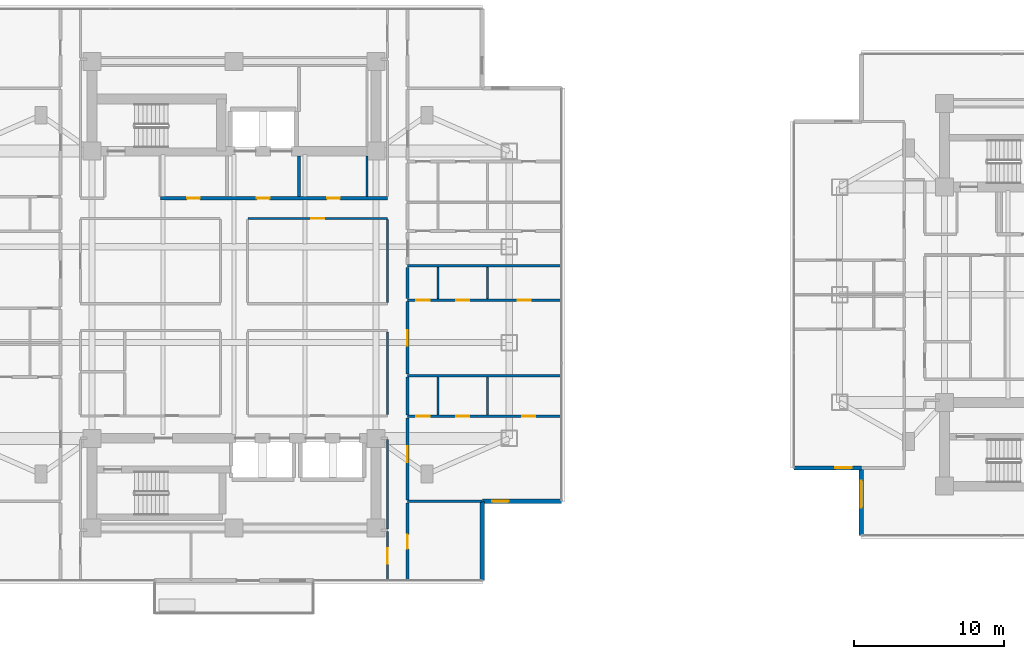
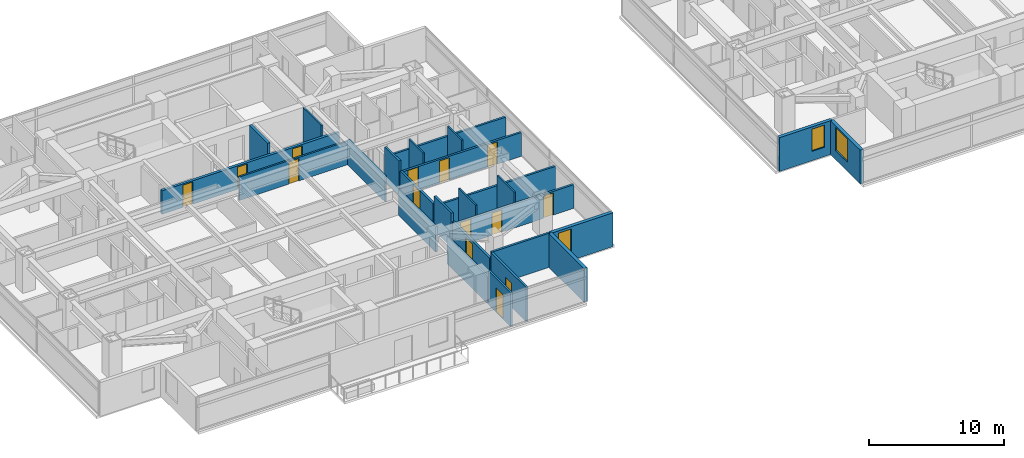
# One storey, part 15 of 26: 26 walls, 14 doors, 3 windows, 17 openings.
"""IFC4 building model written with IfcOpenShell, lengths in metres."""

from ifc_helpers import new_model, si_unit, direction, frame, frame_2d, origin, place, context, subcontext, project, spatial, rectangle, extrude, material, layer, layer_set, type_object, element, fill, save


model = new_model("IFC4")

# Units and contexts
model_context = context("Model", 3, precision=1e-05, world=origin(), true_north=direction((0.0, 1.0)))
body_context = subcontext(model_context, "Body", "Model", "MODEL_VIEW")
ifc_project = project(units=[si_unit("LENGTHUNIT", "METRE"), si_unit("AREAUNIT", "SQUARE_METRE"), si_unit("VOLUMEUNIT", "CUBIC_METRE"), si_unit("PLANEANGLEUNIT", "RADIAN"), si_unit("MASSUNIT", "GRAM", prefix="KILO")], contexts=[model_context])

# Site, building, storey
site_placement = place(None, origin())
site = spatial("IfcSite", under=ifc_project, at=site_placement, CompositionType="ELEMENT")
building_placement = place(site_placement, origin())
building = spatial("IfcBuilding", under=site, at=building_placement, Name="Mirazonda Arch Towers", CompositionType="ELEMENT")
storey_placement = place(building_placement, frame((0.0, 0.0, 108.199951171875)))
storey = spatial("IfcBuildingStorey", under=building, at=storey_placement, Name="L30", CompositionType="ELEMENT", Elevation=108.199951171875)

# Wall, opening, window
ifc_material_1 = material(Name="Precast Concrete C40/50", Category="concrete")
ifc_layer_1 = layer(ifc_material_1, 0.280029296875, Name="WALL-EXT-WALL-280")
ifc_layer_set_1 = layer_set([ifc_layer_1], Name="Precast Concrete C40/50")
wall_type_1 = type_object("IfcWallType", Name="WALL-EXT-WALL-280", PredefinedType="SOLIDWALL", material=ifc_layer_set_1)
wall_1_placement = place(storey_placement, frame((37.10498046875, 14.18701171875, 0.0), z_axis=(0.0, 0.0, 1.0), x_axis=(1.0, 0.0, 0.0)))
wall_1 = element("IfcWall", 1, at=wall_1_placement, inside=storey, type_object=wall_type_1, Name="L30 T1 Corner Notch Return Wall WL-L30-T1-CSE1", PredefinedType="SOLIDWALL", context=body_context, shape_type="SweptSolid", body=[
    extrude(rectangle(XDim=5.304931640625, YDim=0.280029296875, at=frame_2d((2.65234375, 0.0))), origin(), (0.0, 0.0, 1.0), 3.06005859375),
])
opening_1_placement = place(wall_1_placement, frame((0.64990234375, 0.0, 0.85009765625)))
opening_1 = element("IfcOpeningElement", 2, at=opening_1_placement, cuts=wall_1, Name="Opening WN-108", PredefinedType="OPENING", context=body_context, shape_type="SweptSolid", body=[
    extrude(rectangle(XDim=1.10009765625, YDim=2.0, at=frame_2d((0.550048828125, 1.0))), frame((0.0, 0.14990234375, 0.0), z_axis=(0.0, -1.0, 0.0), x_axis=(1.0, 0.0, 0.0)), (0.0, 0.0, 1.0), 0.300048828125),
])
ifc_material_2 = material(Name="Insulated Low-E Solar Glass", Category="glass")
window_type_1 = type_object("IfcWindowType", Name="WIN-NOTCH-1100x2000", PartitioningType="SINGLE_PANEL", PredefinedType="WINDOW", material=ifc_material_2)
window_1_placement = place(opening_1_placement, origin())
window_1 = element("IfcWindow", 3, at=window_1_placement, inside=storey, type_object=window_type_1, Name="L30 Punched Facade Window WN-L30-T1-CSE1", OverallHeight=2.0, OverallWidth=1.10009765625, PartitioningType="SINGLE_PANEL", PredefinedType="WINDOW", context=body_context, shape_type="SweptSolid", body=[
    extrude(rectangle(XDim=1.10009765625, YDim=2.0, at=frame_2d((0.550048828125, 1.0))), frame((0.0, 0.030029296875, 0.0), z_axis=(0.0, -1.0, 0.0), x_axis=(1.0, 0.0, 0.0)), (0.0, 0.0, 1.0), 0.06005859375),
])
fill(opening_1, window_1)

# Wall
wall_2_placement = place(storey_placement, frame((37.10498046875, 8.882080078125, 0.0), z_axis=(0.0, 0.0, 1.0), x_axis=(0.0, 1.0, 0.0)))
element("IfcWall", 4, at=wall_2_placement, inside=storey, type_object=wall_type_1, Name="L30 T1 Corner Notch Return Wall WL-L30-T1-CSE2", PredefinedType="SOLIDWALL", context=body_context, shape_type="SweptSolid", body=[
    extrude(rectangle(XDim=5.304931640625, YDim=0.280029296875, at=frame_2d((2.65234375, 0.0))), origin(), (0.0, 0.0, 1.0), 3.06005859375),
])

# Wall, opening, window
wall_3_placement = place(storey_placement, frame((62.44580078125, 16.4189453125, 0.0), z_axis=(0.0, 0.0, 1.0), x_axis=(0.0, -1.0, 0.0)))
wall_3 = element("IfcWall", 5, at=wall_3_placement, inside=storey, type_object=wall_type_1, Name="L30 T2 Notched SW Corner Wall WL-L30-T2-CSW", PredefinedType="SOLIDWALL", context=body_context, shape_type="SweptSolid", body=[
    extrude(rectangle(XDim=4.516357421875, YDim=0.280029296875, at=frame_2d((2.25830078125, 0.0))), origin(), (0.0, 0.0, 1.0), 3.06005859375),
])
opening_2_placement = place(wall_3_placement, frame((0.85009765625, 0.0, 0.81005859375)))
opening_2 = element("IfcOpeningElement", 6, at=opening_2_placement, cuts=wall_3, Name="Opening WN-116", PredefinedType="OPENING", context=body_context, shape_type="SweptSolid", body=[
    extrude(rectangle(XDim=1.800048828125, YDim=2.10009765625, at=frame_2d((0.89990234375, 1.050048828125))), frame((0.0, 0.14990234375, 0.0), z_axis=(0.0, -1.0, 0.0), x_axis=(1.0, 0.0, 0.0)), (0.0, 0.0, 1.0), 0.300048828125),
])
window_type_2 = type_object("IfcWindowType", Name="WIN-HTL-1800x2100", PartitioningType="SINGLE_PANEL", PredefinedType="WINDOW", material=ifc_material_2)
window_2_placement = place(opening_2_placement, origin())
window_2 = element("IfcWindow", 7, at=window_2_placement, inside=storey, type_object=window_type_2, Name="L30 Punched Facade Window WN-L30-T2-CSW", OverallHeight=2.10009765625, OverallWidth=1.800048828125, PartitioningType="SINGLE_PANEL", PredefinedType="WINDOW", context=body_context, shape_type="SweptSolid", body=[
    extrude(rectangle(XDim=1.800048828125, YDim=2.10009765625, at=frame_2d((0.89990234375, 1.050048828125))), frame((0.0, 0.030029296875, 0.0), z_axis=(0.0, -1.0, 0.0), x_axis=(1.0, 0.0, 0.0)), (0.0, 0.0, 1.0), 0.06005859375),
])
fill(opening_2, window_2)

wall_4_placement = place(storey_placement, frame((57.929443359375, 16.4189453125, 0.0), z_axis=(0.0, 0.0, 1.0), x_axis=(1.0, 0.0, 0.0)))
wall_4 = element("IfcWall", 8, at=wall_4_placement, inside=storey, type_object=wall_type_1, Name="L30 T2 Corner Notch Return Wall WL-L30-T2-CSW2", PredefinedType="SOLIDWALL", context=body_context, shape_type="SweptSolid", body=[
    extrude(rectangle(XDim=4.516357421875, YDim=0.280029296875, at=frame_2d((2.25830078125, 0.0))), origin(), (0.0, 0.0, 1.0), 3.06005859375),
])
opening_3_placement = place(wall_4_placement, frame((2.76611328125, 0.0, 0.85009765625)))
opening_3 = element("IfcOpeningElement", 9, at=opening_3_placement, cuts=wall_4, Name="Opening WN-108", PredefinedType="OPENING", context=body_context, shape_type="SweptSolid", body=[
    extrude(rectangle(XDim=1.10009765625, YDim=2.0, at=frame_2d((0.550048828125, 1.0))), frame((0.0, 0.14990234375, 0.0), z_axis=(0.0, -1.0, 0.0), x_axis=(1.0, 0.0, 0.0)), (0.0, 0.0, 1.0), 0.300048828125),
])
window_3_placement = place(opening_3_placement, origin())
window_3 = element("IfcWindow", 10, at=window_3_placement, inside=storey, type_object=window_type_1, Name="L30 Punched Facade Window WN-L30-T2-CSW2", OverallHeight=2.0, OverallWidth=1.10009765625, PartitioningType="SINGLE_PANEL", PredefinedType="WINDOW", context=body_context, shape_type="SweptSolid", body=[
    extrude(rectangle(XDim=1.10009765625, YDim=2.0, at=frame_2d((0.550048828125, 1.0))), frame((0.0, 0.030029296875, 0.0), z_axis=(0.0, -1.0, 0.0), x_axis=(1.0, 0.0, 0.0)), (0.0, 0.0, 1.0), 0.06005859375),
])
fill(opening_3, window_3)

# Wall, openings, doors
ifc_material_3 = material(Name="Concrete C40/50", Category="concrete")
ifc_layer_2 = layer(ifc_material_3, 0.219970703125, Name="WALL-FFL-220")
ifc_layer_set_2 = layer_set([ifc_layer_2], Name="Concrete C40/50")
wall_type_2 = type_object("IfcWallType", Name="WALL-FFL-220", PredefinedType="SOLIDWALL", material=ifc_layer_set_2)
wall_5_placement = place(storey_placement, frame((15.590087890625, 34.449951171875, 0.0), z_axis=(0.0, 0.0, 1.0), x_axis=(1.0, 0.0, 0.0)))
wall_5 = element("IfcWall", 11, at=wall_5_placement, inside=storey, type_object=wall_type_2, Name="L30 Interior Partition 053", PredefinedType="SOLIDWALL", context=body_context, shape_type="SweptSolid", body=[
    extrude(rectangle(XDim=15.169921875, YDim=0.219970703125, at=frame_2d((7.5849609375, 0.0))), origin(), (0.0, 0.0, 1.0), 2.1240234375),
])
opening_4_placement = place(wall_5_placement, frame((6.43505859375, 0.0, 0.0)))
opening_4 = element("IfcOpeningElement", 12, at=opening_4_placement, cuts=wall_5, Name="Opening DR-128", PredefinedType="OPENING", context=body_context, shape_type="SweptSolid", body=[
    extrude(rectangle(XDim=0.85009765625, YDim=2.010009765625, at=frame_2d((0.425048828125, 1.0048828125))), frame((0.0, 0.119873046875, 0.0), z_axis=(0.0, -1.0, 0.0), x_axis=(1.0, 0.0, 0.0)), (0.0, 0.0, 1.0), 0.239990234375),
])
opening_5_placement = place(wall_5_placement, frame((11.135009765625, 0.0, 0.0)))
opening_5 = element("IfcOpeningElement", 13, at=opening_5_placement, cuts=wall_5, Name="Opening DR-128", PredefinedType="OPENING", context=body_context, shape_type="SweptSolid", body=[
    extrude(rectangle(XDim=0.85009765625, YDim=2.010009765625, at=frame_2d((0.425048828125, 1.0048828125))), frame((0.0, 0.119873046875, 0.0), z_axis=(0.0, -1.0, 0.0), x_axis=(1.0, 0.0, 0.0)), (0.0, 0.0, 1.0), 0.239990234375),
])
opening_6_placement = place(wall_5_placement, frame((1.77490234375, 0.0, 0.0)))
opening_6 = element("IfcOpeningElement", 14, at=opening_6_placement, cuts=wall_5, Name="Opening DR-128", PredefinedType="OPENING", context=body_context, shape_type="SweptSolid", body=[
    extrude(rectangle(XDim=0.85009765625, YDim=2.010009765625, at=frame_2d((0.425048828125, 1.0048828125))), frame((0.0, 0.119873046875, 0.0), z_axis=(0.0, -1.0, 0.0), x_axis=(1.0, 0.0, 0.0)), (0.0, 0.0, 1.0), 0.239990234375),
])
ifc_material_4 = material(Name="Architectural Brushed Steel S355", Category="steel")
door_type_1 = type_object("IfcDoorType", Name="DOOR-RISER-FD60-850", OperationType="NOTDEFINED", PredefinedType="DOOR", material=ifc_material_4)
door_1_placement = place(opening_4_placement, origin())
door_1 = element("IfcDoor", 15, at=door_1_placement, inside=storey, type_object=door_type_1, Name="L30 Firefighting Lift Lobby Door", OperationType="SINGLE_SWING_LEFT", OverallHeight=2.010009765625, OverallWidth=0.85009765625, PredefinedType="DOOR", context=body_context, shape_type="SweptSolid", body=[
    extrude(rectangle(XDim=0.85009765625, YDim=2.010009765625, at=frame_2d((0.425048828125, 1.0048828125))), frame((0.0, 0.02490234375, 0.0), z_axis=(0.0, -1.0, 0.0), x_axis=(1.0, 0.0, 0.0)), (0.0, 0.0, 1.0), 0.050048828125),
])
fill(opening_4, door_1)
door_2_placement = place(opening_5_placement, origin())
door_2 = element("IfcDoor", 16, at=door_2_placement, inside=storey, type_object=door_type_1, Name="L30 Executive Reading Library Door", OperationType="SINGLE_SWING_RIGHT", OverallHeight=2.010009765625, OverallWidth=0.85009765625, PredefinedType="DOOR", context=body_context, shape_type="SweptSolid", body=[
    extrude(rectangle(XDim=0.85009765625, YDim=2.010009765625, at=frame_2d((0.425048828125, 1.0048828125))), frame((0.0, 0.02490234375, 0.0), z_axis=(0.0, -1.0, 0.0), x_axis=(1.0, 0.0, 0.0)), (0.0, 0.0, 1.0), 0.050048828125),
])
fill(opening_5, door_2)
door_3_placement = place(opening_6_placement, origin())
door_3 = element("IfcDoor", 17, at=door_3_placement, inside=storey, type_object=door_type_1, Name="L30 Housekeeping Linen Room Door", OperationType="SINGLE_SWING_LEFT", OverallHeight=2.010009765625, OverallWidth=0.85009765625, PredefinedType="DOOR", context=body_context, shape_type="SweptSolid", body=[
    extrude(rectangle(XDim=0.85009765625, YDim=2.010009765625, at=frame_2d((0.425048828125, 1.0048828125))), frame((0.0, 0.02490234375, 0.0), z_axis=(0.0, -1.0, 0.0), x_axis=(1.0, 0.0, 0.0)), (0.0, 0.0, 1.0), 0.050048828125),
])
fill(opening_6, door_3)

# Wall
wall_6_placement = place(storey_placement, frame((24.85009765625, 34.570068359375, 0.0), z_axis=(0.0, 0.0, 1.0), x_axis=(0.0, 1.0, 0.0)))
element("IfcWall", 18, at=wall_6_placement, inside=storey, type_object=wall_type_2, Name="L30 Interior Partition 102", PredefinedType="SOLIDWALL", context=body_context, shape_type="SweptSolid", body=[
    extrude(rectangle(XDim=2.7099609375, YDim=0.219970703125, at=frame_2d((1.35498046875, 0.0))), origin(), (0.0, 0.0, 1.0), 3.080078125),
])

# Wall, opening, door
ifc_material_5 = material(Name="Fire-Rated Gypsum Stud Partition")
ifc_layer_3 = layer(ifc_material_5, 0.14990234375, Name="WALL-PART-CORR-150")
ifc_layer_set_3 = layer_set([ifc_layer_3], Name="Fire-Rated Gypsum Stud Partition")
wall_type_3 = type_object("IfcWallType", Name="WALL-PART-CORR-150", PredefinedType="PARTITIONING", material=ifc_layer_set_3)
wall_7_placement = place(storey_placement, frame((21.43994140625, 33.10009765625, 0.0), z_axis=(0.0, 0.0, 1.0), x_axis=(1.0, 0.0, 0.0)))
wall_7 = element("IfcWall", 19, at=wall_7_placement, inside=storey, type_object=wall_type_3, Name="L30 Interior Partition 049", PredefinedType="PARTITIONING", context=body_context, shape_type="SweptSolid", body=[
    extrude(rectangle(XDim=9.320068359375, YDim=0.14990234375, at=frame_2d((4.66015625, 0.0))), origin(), (0.0, 0.0, 1.0), 2.1240234375),
])
opening_7_placement = place(wall_7_placement, frame((4.235107421875, 0.0, 0.0)))
opening_7 = element("IfcOpeningElement", 20, at=opening_7_placement, cuts=wall_7, Name="Opening DR-128", PredefinedType="OPENING", context=body_context, shape_type="SweptSolid", body=[
    extrude(rectangle(XDim=0.85009765625, YDim=2.010009765625, at=frame_2d((0.425048828125, 1.0048828125))), frame((0.0, 0.0849609375, 0.0), z_axis=(0.0, -1.0, 0.0), x_axis=(1.0, 0.0, 0.0)), (0.0, 0.0, 1.0), 0.169921875),
])
door_4_placement = place(opening_7_placement, origin())
door_4 = element("IfcDoor", 21, at=door_4_placement, inside=storey, type_object=door_type_1, Name="L30 L30 North-East Cruciform Study Door", OperationType="SINGLE_SWING_RIGHT", OverallHeight=2.010009765625, OverallWidth=0.85009765625, PredefinedType="DOOR", context=body_context, shape_type="SweptSolid", body=[
    extrude(rectangle(XDim=0.85009765625, YDim=2.010009765625, at=frame_2d((0.425048828125, 1.0048828125))), frame((0.0, 0.02490234375, 0.0), z_axis=(0.0, -1.0, 0.0), x_axis=(1.0, 0.0, 0.0)), (0.0, 0.0, 1.0), 0.050048828125),
])
fill(opening_7, door_4)

# Wall
wall_8_placement = place(storey_placement, frame((29.39990234375, 34.570068359375, 0.0), z_axis=(0.0, 0.0, 1.0), x_axis=(0.0, 1.0, 0.0)))
element("IfcWall", 22, at=wall_8_placement, inside=storey, type_object=wall_type_3, Name="L30 Interior Partition 105", PredefinedType="PARTITIONING", context=body_context, shape_type="SweptSolid", body=[
    extrude(rectangle(XDim=2.7099609375, YDim=0.14990234375, at=frame_2d((1.35498046875, 0.0))), origin(), (0.0, 0.0, 1.0), 3.080078125),
])

# Wall, opening, door
wall_9_placement = place(storey_placement, frame((30.760009765625, 8.882080078125, 0.0), z_axis=(0.0, 0.0, 1.0), x_axis=(0.0, 1.0, 0.0)))
wall_9 = element("IfcWall", 23, at=wall_9_placement, inside=storey, type_object=wall_type_3, Name="L30 Interior Partition 107", PredefinedType="PARTITIONING", context=body_context, shape_type="SweptSolid", body=[
    extrude(rectangle(XDim=3.282958984375, YDim=0.14990234375, at=frame_2d((1.6416015625, 0.0))), origin(), (0.0, 0.0, 1.0), 3.080078125),
])
opening_8_placement = place(wall_9_placement, frame((1.116455078125, 0.0, 0.0)))
opening_8 = element("IfcOpeningElement", 24, at=opening_8_placement, cuts=wall_9, Name="Opening DR-121", PredefinedType="OPENING", context=body_context, shape_type="SweptSolid", body=[
    extrude(rectangle(XDim=1.050048828125, YDim=2.199951171875, at=frame_2d((0.52490234375, 1.10009765625))), frame((0.0, 0.0849609375, 0.0), z_axis=(0.0, -1.0, 0.0), x_axis=(1.0, 0.0, 0.0)), (0.0, 0.0, 1.0), 0.169921875),
])
door_type_2 = type_object("IfcDoorType", Name="DOOR-SUITE-FD60-1050", OperationType="NOTDEFINED", PredefinedType="DOOR", material=ifc_material_4)
door_5_placement = place(opening_8_placement, origin())
door_5 = element("IfcDoor", 25, at=door_5_placement, inside=storey, type_object=door_type_2, Name="L30 South Panoramic Study Grand Door", OperationType="SINGLE_SWING_RIGHT", OverallHeight=2.199951171875, OverallWidth=1.050048828125, PredefinedType="DOOR", context=body_context, shape_type="SweptSolid", body=[
    extrude(rectangle(XDim=1.050048828125, YDim=2.199951171875, at=frame_2d((0.52490234375, 1.10009765625))), frame((0.0, 0.02490234375, 0.0), z_axis=(0.0, -1.0, 0.0), x_axis=(1.0, 0.0, 0.0)), (0.0, 0.0, 1.0), 0.050048828125),
])
fill(opening_8, door_5)

# Walls
wall_10_placement = place(storey_placement, frame((30.760009765625, 12.3349609375, 0.0), z_axis=(0.0, 0.0, 1.0), x_axis=(0.0, 1.0, 0.0)))
element("IfcWall", 26, at=wall_10_placement, inside=storey, type_object=wall_type_3, Name="L30 Interior Partition 108", PredefinedType="PARTITIONING", context=body_context, shape_type="SweptSolid", body=[
    extrude(rectangle(XDim=5.97998046875, YDim=0.14990234375, at=frame_2d((2.989990234375, 0.0))), origin(), (0.0, 0.0, 1.0), 2.4560546875),
])
for number, where, z_axis, x_axis, name in (
    (27, (30.760009765625, 19.985107421875, 0.0), (0.0, 0.0, 1.0), (0.0, 1.0, 0.0), "L30 Interior Partition 109"),
    (28, (30.760009765625, 27.485107421875, 0.0), (0.0, 0.0, 1.0), (0.0, 1.0, 0.0), "L30 Interior Partition 110"),
):
    element("IfcWall", number, at=place(storey_placement, frame(where, z_axis=z_axis, x_axis=x_axis)), inside=storey, type_object=wall_type_3, Name=name, PredefinedType="PARTITIONING", context=body_context, shape_type="SweptSolid", body=[
        extrude(rectangle(XDim=5.52978515625, YDim=0.14990234375, at=frame_2d((2.764892578125, 0.0))), origin(), (0.0, 0.0, 1.0), 2.299072265625),
    ])
ifc_material_6 = material(Name="Fire-Rated Gypsum Twin-Stud Assembly")
ifc_layer_4 = layer(ifc_material_6, 0.179931640625, Name="WALL-PART-DEMISE-180")
ifc_layer_set_4 = layer_set([ifc_layer_4], Name="Fire-Rated Gypsum Twin-Stud Assembly")
wall_type_4 = type_object("IfcWallType", Name="WALL-PART-DEMISE-180", PredefinedType="PARTITIONING", material=ifc_layer_set_4)
wall_11_placement = place(storey_placement, frame((32.10009765625, 14.18701171875, 0.0), z_axis=(0.0, 0.0, 1.0), x_axis=(1.0, 0.0, 0.0)))
element("IfcWall", 29, at=wall_11_placement, inside=storey, type_object=wall_type_4, Name="L30 Interior Partition 005", PredefinedType="PARTITIONING", context=body_context, shape_type="SweptSolid", body=[
    extrude(rectangle(XDim=4.98486328125, YDim=0.179931640625, at=frame_2d((2.492431640625, 0.0))), origin(), (0.0, 0.0, 1.0), 3.080078125),
])

# Wall, openings, doors
wall_12_placement = place(storey_placement, frame((32.10009765625, 19.868896484375, 0.0), z_axis=(0.0, 0.0, 1.0), x_axis=(1.0, 0.0, 0.0)))
wall_12 = element("IfcWall", 30, at=wall_12_placement, inside=storey, type_object=wall_type_4, Name="L30 Interior Partition 017", PredefinedType="PARTITIONING", context=body_context, shape_type="SweptSolid", body=[
    extrude(rectangle(XDim=10.309814453125, YDim=0.179931640625, at=frame_2d((5.15478515625, 0.0))), origin(), (0.0, 0.0, 1.0), 2.14501953125),
])
opening_9_placement = place(wall_12_placement, frame((7.68408203125, 0.0, 0.0)))
opening_9 = element("IfcOpeningElement", 31, at=opening_9_placement, cuts=wall_12, Name="Opening DR-128", PredefinedType="OPENING", context=body_context, shape_type="SweptSolid", body=[
    extrude(rectangle(XDim=0.85009765625, YDim=2.010009765625, at=frame_2d((0.425048828125, 1.0048828125))), frame((0.0, 0.099853515625, 0.0), z_axis=(0.0, -1.0, 0.0), x_axis=(1.0, 0.0, 0.0)), (0.0, 0.0, 1.0), 0.199951171875),
])
opening_10_placement = place(wall_12_placement, frame((3.26904296875, 0.0, 0.0)))
opening_10 = element("IfcOpeningElement", 32, at=opening_10_placement, cuts=wall_12, Name="Opening DR-128", PredefinedType="OPENING", context=body_context, shape_type="SweptSolid", body=[
    extrude(rectangle(XDim=0.85009765625, YDim=2.010009765625, at=frame_2d((0.425048828125, 1.0048828125))), frame((0.0, 0.099853515625, 0.0), z_axis=(0.0, -1.0, 0.0), x_axis=(1.0, 0.0, 0.0)), (0.0, 0.0, 1.0), 0.199951171875),
])
opening_11_placement = place(wall_12_placement, frame((0.590087890625, 0.0, 0.0)))
opening_11 = element("IfcOpeningElement", 33, at=opening_11_placement, cuts=wall_12, Name="Opening DR-120", PredefinedType="OPENING", context=body_context, shape_type="SweptSolid", body=[
    extrude(rectangle(XDim=0.89990234375, YDim=2.10009765625, at=frame_2d((0.449951171875, 1.050048828125))), frame((0.0, 0.099853515625, 0.0), z_axis=(0.0, -1.0, 0.0), x_axis=(1.0, 0.0, 0.0)), (0.0, 0.0, 1.0), 0.199951171875),
])
door_6_placement = place(opening_9_placement, origin())
door_6 = element("IfcDoor", 34, at=door_6_placement, inside=storey, type_object=door_type_1, Name="L30 Residence 1 Principal Bedroom Door", OperationType="SINGLE_SWING_RIGHT", OverallHeight=2.010009765625, OverallWidth=0.85009765625, PredefinedType="DOOR", context=body_context, shape_type="SweptSolid", body=[
    extrude(rectangle(XDim=0.85009765625, YDim=2.010009765625, at=frame_2d((0.425048828125, 1.0048828125))), frame((0.0, 0.02490234375, 0.0), z_axis=(0.0, -1.0, 0.0), x_axis=(1.0, 0.0, 0.0)), (0.0, 0.0, 1.0), 0.050048828125),
])
fill(opening_9, door_6)
door_7_placement = place(opening_10_placement, origin())
door_7 = element("IfcDoor", 35, at=door_7_placement, inside=storey, type_object=door_type_1, Name="L30 Residence 1 Fitted Kitchen Door", OperationType="SINGLE_SWING_LEFT", OverallHeight=2.010009765625, OverallWidth=0.85009765625, PredefinedType="DOOR", context=body_context, shape_type="SweptSolid", body=[
    extrude(rectangle(XDim=0.85009765625, YDim=2.010009765625, at=frame_2d((0.425048828125, 1.0048828125))), frame((0.0, 0.02490234375, 0.0), z_axis=(0.0, -1.0, 0.0), x_axis=(1.0, 0.0, 0.0)), (0.0, 0.0, 1.0), 0.050048828125),
])
fill(opening_10, door_7)
door_type_3 = type_object("IfcDoorType", Name="DOOR-WC-900", OperationType="NOTDEFINED", PredefinedType="DOOR", material=ifc_material_4)
door_8_placement = place(opening_11_placement, origin())
door_8 = element("IfcDoor", 36, at=door_8_placement, inside=storey, type_object=door_type_3, Name="L30 Residence 1 Bathroom Door", OperationType="SINGLE_SWING_RIGHT", OverallHeight=2.10009765625, OverallWidth=0.89990234375, PredefinedType="DOOR", context=body_context, shape_type="SweptSolid", body=[
    extrude(rectangle(XDim=0.89990234375, YDim=2.10009765625, at=frame_2d((0.449951171875, 1.050048828125))), frame((0.0, 0.02490234375, 0.0), z_axis=(0.0, -1.0, 0.0), x_axis=(1.0, 0.0, 0.0)), (0.0, 0.0, 1.0), 0.050048828125),
])
fill(opening_11, door_8)

# Wall
wall_13_placement = place(storey_placement, frame((32.10009765625, 22.589111328125, 0.0), z_axis=(0.0, 0.0, 1.0), x_axis=(1.0, 0.0, 0.0)))
element("IfcWall", 37, at=wall_13_placement, inside=storey, type_object=wall_type_4, Name="L30 Interior Partition 024", PredefinedType="PARTITIONING", context=body_context, shape_type="SweptSolid", body=[
    extrude(rectangle(XDim=10.309814453125, YDim=0.179931640625, at=frame_2d((5.15478515625, 0.0))), origin(), (0.0, 0.0, 1.0), 2.14501953125),
])

# Wall, openings, doors
wall_14_placement = place(storey_placement, frame((32.10009765625, 27.633056640625, 0.0), z_axis=(0.0, 0.0, 1.0), x_axis=(1.0, 0.0, 0.0)))
wall_14 = element("IfcWall", 38, at=wall_14_placement, inside=storey, type_object=wall_type_4, Name="L30 Interior Partition 036", PredefinedType="PARTITIONING", context=body_context, shape_type="SweptSolid", body=[
    extrude(rectangle(XDim=10.309814453125, YDim=0.179931640625, at=frame_2d((5.15478515625, 0.0))), origin(), (0.0, 0.0, 1.0), 2.14501953125),
])
opening_12_placement = place(wall_14_placement, frame((7.384033203125, 0.0, 0.0)))
opening_12 = element("IfcOpeningElement", 39, at=opening_12_placement, cuts=wall_14, Name="Opening DR-128", PredefinedType="OPENING", context=body_context, shape_type="SweptSolid", body=[
    extrude(rectangle(XDim=0.85009765625, YDim=2.010009765625, at=frame_2d((0.425048828125, 1.0048828125))), frame((0.0, 0.099853515625, 0.0), z_axis=(0.0, -1.0, 0.0), x_axis=(1.0, 0.0, 0.0)), (0.0, 0.0, 1.0), 0.199951171875),
])
opening_13_placement = place(wall_14_placement, frame((3.26904296875, 0.0, 0.0)))
opening_13 = element("IfcOpeningElement", 40, at=opening_13_placement, cuts=wall_14, Name="Opening DR-128", PredefinedType="OPENING", context=body_context, shape_type="SweptSolid", body=[
    extrude(rectangle(XDim=0.85009765625, YDim=2.010009765625, at=frame_2d((0.425048828125, 1.0048828125))), frame((0.0, 0.099853515625, 0.0), z_axis=(0.0, -1.0, 0.0), x_axis=(1.0, 0.0, 0.0)), (0.0, 0.0, 1.0), 0.199951171875),
])
opening_14_placement = place(wall_14_placement, frame((0.590087890625, 0.0, 0.0)))
opening_14 = element("IfcOpeningElement", 41, at=opening_14_placement, cuts=wall_14, Name="Opening DR-120", PredefinedType="OPENING", context=body_context, shape_type="SweptSolid", body=[
    extrude(rectangle(XDim=0.89990234375, YDim=2.10009765625, at=frame_2d((0.449951171875, 1.050048828125))), frame((0.0, 0.099853515625, 0.0), z_axis=(0.0, -1.0, 0.0), x_axis=(1.0, 0.0, 0.0)), (0.0, 0.0, 1.0), 0.199951171875),
])
door_9_placement = place(opening_12_placement, origin())
door_9 = element("IfcDoor", 42, at=door_9_placement, inside=storey, type_object=door_type_1, Name="L30 Residence 2 Principal Bedroom Door", OperationType="SINGLE_SWING_RIGHT", OverallHeight=2.010009765625, OverallWidth=0.85009765625, PredefinedType="DOOR", context=body_context, shape_type="SweptSolid", body=[
    extrude(rectangle(XDim=0.85009765625, YDim=2.010009765625, at=frame_2d((0.425048828125, 1.0048828125))), frame((0.0, 0.02490234375, 0.0), z_axis=(0.0, -1.0, 0.0), x_axis=(1.0, 0.0, 0.0)), (0.0, 0.0, 1.0), 0.050048828125),
])
fill(opening_12, door_9)
door_10_placement = place(opening_13_placement, origin())
door_10 = element("IfcDoor", 43, at=door_10_placement, inside=storey, type_object=door_type_1, Name="L30 Residence 2 Fitted Kitchen Door", OperationType="SINGLE_SWING_LEFT", OverallHeight=2.010009765625, OverallWidth=0.85009765625, PredefinedType="DOOR", context=body_context, shape_type="SweptSolid", body=[
    extrude(rectangle(XDim=0.85009765625, YDim=2.010009765625, at=frame_2d((0.425048828125, 1.0048828125))), frame((0.0, 0.02490234375, 0.0), z_axis=(0.0, -1.0, 0.0), x_axis=(1.0, 0.0, 0.0)), (0.0, 0.0, 1.0), 0.050048828125),
])
fill(opening_13, door_10)
door_11_placement = place(opening_14_placement, origin())
door_11 = element("IfcDoor", 44, at=door_11_placement, inside=storey, type_object=door_type_3, Name="L30 Residence 2 Bathroom Door", OperationType="SINGLE_SWING_RIGHT", OverallHeight=2.10009765625, OverallWidth=0.89990234375, PredefinedType="DOOR", context=body_context, shape_type="SweptSolid", body=[
    extrude(rectangle(XDim=0.89990234375, YDim=2.10009765625, at=frame_2d((0.449951171875, 1.050048828125))), frame((0.0, 0.02490234375, 0.0), z_axis=(0.0, -1.0, 0.0), x_axis=(1.0, 0.0, 0.0)), (0.0, 0.0, 1.0), 0.050048828125),
])
fill(opening_14, door_11)

# Wall
wall_15_placement = place(storey_placement, frame((32.10009765625, 29.93310546875, 0.0), z_axis=(0.0, 0.0, 1.0), x_axis=(1.0, 0.0, 0.0)))
element("IfcWall", 45, at=wall_15_placement, inside=storey, type_object=wall_type_4, Name="L30 Interior Partition 039", PredefinedType="PARTITIONING", context=body_context, shape_type="SweptSolid", body=[
    extrude(rectangle(XDim=10.309814453125, YDim=0.179931640625, at=frame_2d((5.15478515625, 0.0))), origin(), (0.0, 0.0, 1.0), 2.14501953125),
])

# Wall, opening, door
wall_16_placement = place(storey_placement, frame((32.10009765625, 8.882080078125, 0.0), z_axis=(0.0, 0.0, 1.0), x_axis=(0.0, 1.0, 0.0)))
wall_16 = element("IfcWall", 46, at=wall_16_placement, inside=storey, type_object=wall_type_4, Name="L30 Interior Partition 113", PredefinedType="PARTITIONING", context=body_context, shape_type="SweptSolid", body=[
    extrude(rectangle(XDim=5.204833984375, YDim=0.179931640625, at=frame_2d((2.6025390625, 0.0))), origin(), (0.0, 0.0, 1.0), 3.080078125),
])
opening_15_placement = place(wall_16_placement, frame((2.12744140625, 0.0, 0.0)))
opening_15 = element("IfcOpeningElement", 47, at=opening_15_placement, cuts=wall_16, Name="Opening DR-104", PredefinedType="OPENING", context=body_context, shape_type="SweptSolid", body=[
    extrude(rectangle(XDim=0.949951171875, YDim=2.14990234375, at=frame_2d((0.47509765625, 1.074951171875))), frame((0.0, 0.099853515625, 0.0), z_axis=(0.0, -1.0, 0.0), x_axis=(1.0, 0.0, 0.0)), (0.0, 0.0, 1.0), 0.199951171875),
])
door_type_4 = type_object("IfcDoorType", Name="DOOR-ROOM-950", OperationType="NOTDEFINED", PredefinedType="DOOR", material=ifc_material_4)
door_12_placement = place(opening_15_placement, origin())
door_12 = element("IfcDoor", 48, at=door_12_placement, inside=storey, type_object=door_type_4, Name="L30 South Panoramic Study Alcove East Door", OperationType="SINGLE_SWING_RIGHT", OverallHeight=2.14990234375, OverallWidth=0.949951171875, PredefinedType="DOOR", context=body_context, shape_type="SweptSolid", body=[
    extrude(rectangle(XDim=0.949951171875, YDim=2.14990234375, at=frame_2d((0.47509765625, 1.074951171875))), frame((0.0, 0.02490234375, 0.0), z_axis=(0.0, -1.0, 0.0), x_axis=(1.0, 0.0, 0.0)), (0.0, 0.0, 1.0), 0.050048828125),
])
fill(opening_15, door_12)

wall_17_placement = place(storey_placement, frame((32.10009765625, 14.287109375, 0.0), z_axis=(0.0, 0.0, 1.0), x_axis=(0.0, 1.0, 0.0)))
wall_17 = element("IfcWall", 49, at=wall_17_placement, inside=storey, type_object=wall_type_4, Name="L30 Interior Partition 114", PredefinedType="PARTITIONING", context=body_context, shape_type="SweptSolid", body=[
    extrude(rectangle(XDim=5.48193359375, YDim=0.179931640625, at=frame_2d((2.740966796875, 0.0))), origin(), (0.0, 0.0, 1.0), 2.4560546875),
])
opening_16_placement = place(wall_17_placement, frame((2.51611328125, 0.0, 0.0)))
opening_16 = element("IfcOpeningElement", 50, at=opening_16_placement, cuts=wall_17, Name="Opening DR-121", PredefinedType="OPENING", context=body_context, shape_type="SweptSolid", body=[
    extrude(rectangle(XDim=1.050048828125, YDim=2.199951171875, at=frame_2d((0.52490234375, 1.10009765625))), frame((0.0, 0.099853515625, 0.0), z_axis=(0.0, -1.0, 0.0), x_axis=(1.0, 0.0, 0.0)), (0.0, 0.0, 1.0), 0.199951171875),
])
door_13_placement = place(opening_16_placement, origin())
door_13 = element("IfcDoor", 51, at=door_13_placement, inside=storey, type_object=door_type_2, Name="L30 Residence 1 Living & Dining Salon Door", OperationType="SINGLE_SWING_LEFT", OverallHeight=2.199951171875, OverallWidth=1.050048828125, PredefinedType="DOOR", context=body_context, shape_type="SweptSolid", body=[
    extrude(rectangle(XDim=1.050048828125, YDim=2.199951171875, at=frame_2d((0.52490234375, 1.10009765625))), frame((0.0, 0.02490234375, 0.0), z_axis=(0.0, -1.0, 0.0), x_axis=(1.0, 0.0, 0.0)), (0.0, 0.0, 1.0), 0.050048828125),
])
fill(opening_16, door_13)

# Wall
wall_18_placement = place(storey_placement, frame((32.10009765625, 19.968994140625, 0.0), z_axis=(0.0, 0.0, 1.0), x_axis=(0.0, 1.0, 0.0)))
element("IfcWall", 52, at=wall_18_placement, inside=storey, type_object=wall_type_4, Name="L30 Interior Partition 115", PredefinedType="PARTITIONING", context=body_context, shape_type="SweptSolid", body=[
    extrude(rectangle(XDim=2.52001953125, YDim=0.179931640625, at=frame_2d((1.260009765625, 0.0))), origin(), (0.0, 0.0, 1.0), 3.080078125),
])

# Wall, opening, door
wall_19_placement = place(storey_placement, frame((32.10009765625, 22.68896484375, 0.0), z_axis=(0.0, 0.0, 1.0), x_axis=(0.0, 1.0, 0.0)))
wall_19 = element("IfcWall", 53, at=wall_19_placement, inside=storey, type_object=wall_type_4, Name="L30 Interior Partition 116", PredefinedType="PARTITIONING", context=body_context, shape_type="SweptSolid", body=[
    extrude(rectangle(XDim=4.843994140625, YDim=0.179931640625, at=frame_2d((2.421875, 0.0))), origin(), (0.0, 0.0, 1.0), 2.299072265625),
])
opening_17_placement = place(wall_19_placement, frame((1.89697265625, 0.0, 0.0)))
opening_17 = element("IfcOpeningElement", 54, at=opening_17_placement, cuts=wall_19, Name="Opening DR-121", PredefinedType="OPENING", context=body_context, shape_type="SweptSolid", body=[
    extrude(rectangle(XDim=1.050048828125, YDim=2.199951171875, at=frame_2d((0.52490234375, 1.10009765625))), frame((0.0, 0.099853515625, 0.0), z_axis=(0.0, -1.0, 0.0), x_axis=(1.0, 0.0, 0.0)), (0.0, 0.0, 1.0), 0.199951171875),
])
door_14_placement = place(opening_17_placement, origin())
door_14 = element("IfcDoor", 55, at=door_14_placement, inside=storey, type_object=door_type_2, Name="L30 Residence 2 Living & Dining Salon Door", OperationType="SINGLE_SWING_LEFT", OverallHeight=2.199951171875, OverallWidth=1.050048828125, PredefinedType="DOOR", context=body_context, shape_type="SweptSolid", body=[
    extrude(rectangle(XDim=1.050048828125, YDim=2.199951171875, at=frame_2d((0.52490234375, 1.10009765625))), frame((0.0, 0.02490234375, 0.0), z_axis=(0.0, -1.0, 0.0), x_axis=(1.0, 0.0, 0.0)), (0.0, 0.0, 1.0), 0.050048828125),
])
fill(opening_17, door_14)

# Walls
wall_20_placement = place(storey_placement, frame((32.10009765625, 27.73291015625, 0.0), z_axis=(0.0, 0.0, 1.0), x_axis=(0.0, 1.0, 0.0)))
element("IfcWall", 56, at=wall_20_placement, inside=storey, type_object=wall_type_4, Name="L30 Interior Partition 117", PredefinedType="PARTITIONING", context=body_context, shape_type="SweptSolid", body=[
    extrude(rectangle(XDim=2.10009765625, YDim=0.179931640625, at=frame_2d((1.050048828125, 0.0))), origin(), (0.0, 0.0, 1.0), 3.080078125),
])
ifc_material_7 = material(Name="Acoustic Fire-Rated Gypsum Partition")
ifc_layer_5 = layer(ifc_material_7, 0.125, Name="WALL-PART-UNIT-125")
ifc_layer_set_5 = layer_set([ifc_layer_5], Name="Acoustic Fire-Rated Gypsum Partition")
wall_type_5 = type_object("IfcWallType", Name="WALL-PART-UNIT-125", PredefinedType="PARTITIONING", material=ifc_layer_set_5)
wall_21_placement = place(storey_placement, frame((34.139892578125, 19.968994140625, 0.0), z_axis=(0.0, 0.0, 1.0), x_axis=(0.0, 1.0, 0.0)))
element("IfcWall", 57, at=wall_21_placement, inside=storey, type_object=wall_type_5, Name="L30 Interior Partition 123", PredefinedType="PARTITIONING", context=body_context, shape_type="SweptSolid", body=[
    extrude(rectangle(XDim=2.52001953125, YDim=0.125, at=frame_2d((1.260009765625, 0.0))), origin(), (0.0, 0.0, 1.0), 3.080078125),
])
wall_22_placement = place(storey_placement, frame((34.139892578125, 27.73291015625, 0.0), z_axis=(0.0, 0.0, 1.0), x_axis=(0.0, 1.0, 0.0)))
element("IfcWall", 58, at=wall_22_placement, inside=storey, type_object=wall_type_5, Name="L30 Interior Partition 124", PredefinedType="PARTITIONING", context=body_context, shape_type="SweptSolid", body=[
    extrude(rectangle(XDim=2.10009765625, YDim=0.125, at=frame_2d((1.050048828125, 0.0))), origin(), (0.0, 0.0, 1.0), 3.080078125),
])
wall_23_placement = place(storey_placement, frame((37.447998046875, 19.968994140625, 0.0), z_axis=(0.0, 0.0, 1.0), x_axis=(0.0, 1.0, 0.0)))
element("IfcWall", 59, at=wall_23_placement, inside=storey, type_object=wall_type_5, Name="L30 Interior Partition 127", PredefinedType="PARTITIONING", context=body_context, shape_type="SweptSolid", body=[
    extrude(rectangle(XDim=2.52001953125, YDim=0.125, at=frame_2d((1.260009765625, 0.0))), origin(), (0.0, 0.0, 1.0), 3.080078125),
])
wall_24_placement = place(storey_placement, frame((37.447998046875, 27.73291015625, 0.0), z_axis=(0.0, 0.0, 1.0), x_axis=(0.0, 1.0, 0.0)))
element("IfcWall", 60, at=wall_24_placement, inside=storey, type_object=wall_type_5, Name="L30 Interior Partition 128", PredefinedType="PARTITIONING", context=body_context, shape_type="SweptSolid", body=[
    extrude(rectangle(XDim=2.10009765625, YDim=0.125, at=frame_2d((1.050048828125, 0.0))), origin(), (0.0, 0.0, 1.0), 3.080078125),
])

save(model, "model.ifc")
